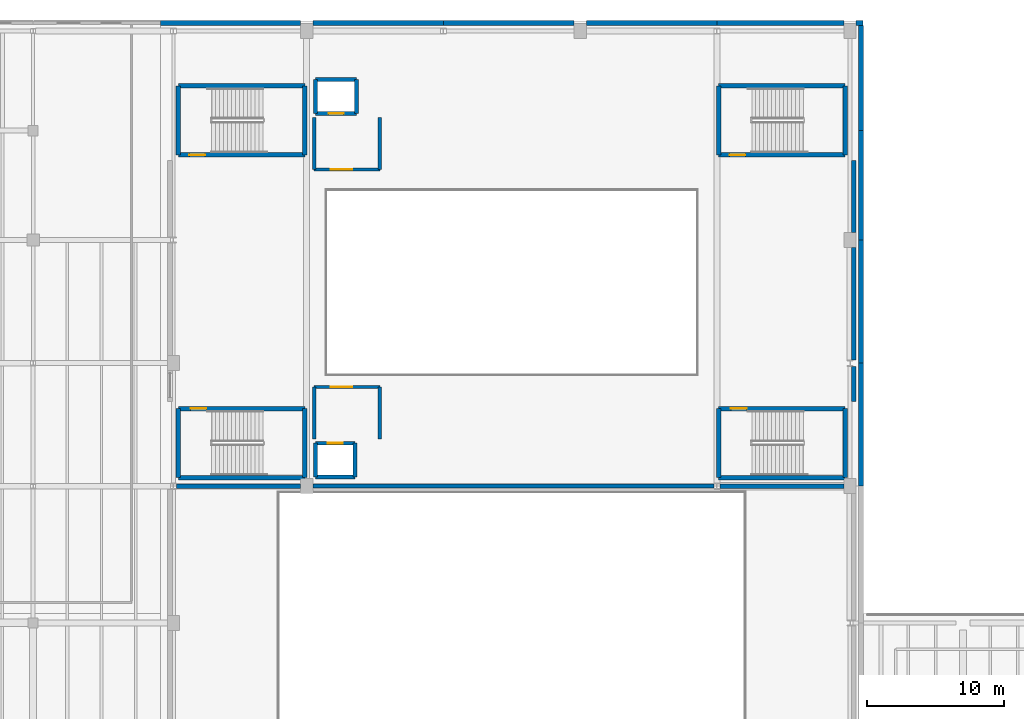
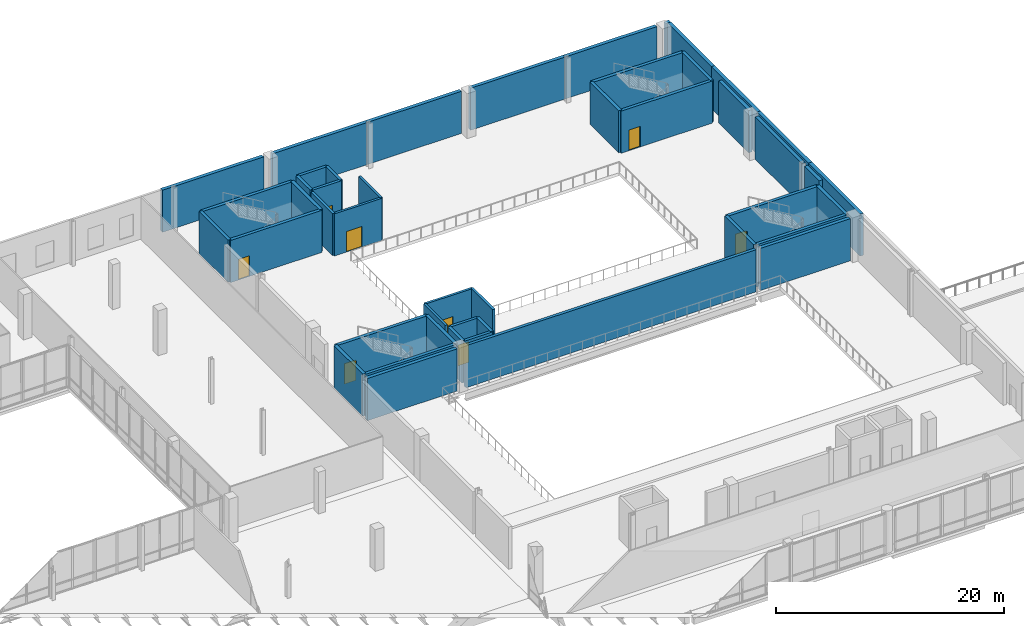
# One storey, part 31 of 41: 46 walls, 8 doors, 8 openings.
"""IFC4 building model written with IfcOpenShell, lengths in metres."""

from ifc_helpers import new_model, si_unit, direction, frame, frame_2d, origin, place, context, subcontext, project, spatial, rectangle, extrude, material, layer, layer_set, type_object, element, fill, save


model = new_model("IFC4")

# Units and contexts
model_context = context("Model", 3, precision=1e-05, world=origin(), true_north=direction((0.0, 1.0)))
body_context = subcontext(model_context, "Body", "Model", "MODEL_VIEW")
ifc_project = project(units=[si_unit("LENGTHUNIT", "METRE"), si_unit("AREAUNIT", "SQUARE_METRE"), si_unit("VOLUMEUNIT", "CUBIC_METRE"), si_unit("PLANEANGLEUNIT", "RADIAN"), si_unit("MASSUNIT", "GRAM", prefix="KILO")], contexts=[model_context])

# Site, building, storey
site_placement = place(None, origin())
site = spatial("IfcSite", under=ifc_project, at=site_placement, CompositionType="ELEMENT")
building_placement = place(site_placement, origin())
building = spatial("IfcBuilding", under=site, at=building_placement, Name="Trimount Lyric Opera House", CompositionType="ELEMENT")
storey_placement = place(building_placement, frame((0.0, 0.0, 20.0)))
storey = spatial("IfcBuildingStorey", under=building, at=storey_placement, Name="L04", CompositionType="ELEMENT", Elevation=20.0)

# Wall
ifc_material_1 = material(Name="Concrete C40/50", Category="concrete")
ifc_layer_1 = layer(ifc_material_1, 0.280029296875)
ifc_layer_set_1 = layer_set([ifc_layer_1], Name="WL-SH280")
wall_type_1 = type_object("IfcWallType", Name="WL-SH280", PredefinedType="SHEAR", material=ifc_layer_set_1)
wall_1_placement = place(storey_placement, frame((74.659912109375, 84.659912109375, 0.0), z_axis=(0.0, 0.0, 1.0), x_axis=(1.0, 0.0, 0.0)))
element("IfcWall", 1, at=wall_1_placement, inside=storey, type_object=wall_type_1, Name="Lift LF-01 L04 south shaft wall", PredefinedType="SHEAR", context=body_context, shape_type="SweptSolid", body=[
    extrude(rectangle(XDim=2.880126953125, YDim=0.280029296875, at=frame_2d((1.43994140625, 0.0))), origin(), (0.0, 0.0, 1.0), 4.5),
])

# Wall, opening, door
wall_2_placement = place(storey_placement, frame((77.5400390625, 87.139892578125, 0.0), z_axis=(0.0, 0.0, 1.0), x_axis=(-1.0, 0.0, 0.0)))
wall_2 = element("IfcWall", 2, at=wall_2_placement, inside=storey, type_object=wall_type_1, Name="Lift LF-01 L04 north shaft wall", PredefinedType="SHEAR", context=body_context, shape_type="SweptSolid", body=[
    extrude(rectangle(XDim=2.880126953125, YDim=0.280029296875, at=frame_2d((1.43994140625, 0.0))), origin(), (0.0, 0.0, 1.0), 4.5),
])
opening_1_placement = place(wall_2_placement, frame((0.889892578125, 0.0, 0.0)))
opening_1 = element("IfcOpeningElement", 3, at=opening_1_placement, cuts=wall_2, Name="Opening DT-LD1", PredefinedType="OPENING", context=body_context, shape_type="SweptSolid", body=[
    extrude(rectangle(XDim=1.10009765625, YDim=2.199951171875, at=frame_2d((0.550048828125, 1.10009765625))), frame((0.0, 0.14990234375, 0.0), z_axis=(0.0, -1.0, 0.0), x_axis=(1.0, 0.0, 0.0)), (0.0, 0.0, 1.0), 0.300048828125),
])
ifc_material_2 = material(Name="Brushed Stainless Steel", Category="steel")
door_type_1 = type_object("IfcDoorType", Name="DT-LD1", OperationType="SLIDING_TO_LEFT", PredefinedType="DOOR", material=ifc_material_2)
door_1_placement = place(opening_1_placement, origin())
door_1 = element("IfcDoor", 4, at=door_1_placement, inside=storey, type_object=door_type_1, Name="D-067", OperationType="SLIDING_TO_LEFT", OverallHeight=2.199951171875, OverallWidth=1.10009765625, PredefinedType="DOOR", context=body_context, shape_type="SweptSolid", body=[
    extrude(rectangle(XDim=1.10009765625, YDim=2.199951171875, at=frame_2d((0.550048828125, 1.10009765625))), frame((0.0, 0.02490234375, 0.0), z_axis=(0.0, -1.0, 0.0), x_axis=(1.0, 0.0, 0.0)), (0.0, 0.0, 1.0), 0.050048828125),
])
fill(opening_1, door_1)

# Walls
for number, where, z_axis, x_axis, name in (
    (5, (74.659912109375, 87.139892578125, 0.0), (0.0, 0.0, 1.0), (0.0, -1.0, 0.0), "Lift LF-01 L04 west shaft wall"),
    (6, (77.5400390625, 84.659912109375, 0.0), (0.0, 0.0, 1.0), (0.0, 1.0, 0.0), "Lift LF-01 L04 east shaft wall"),
):
    element("IfcWall", number, at=place(storey_placement, frame(where, z_axis=z_axis, x_axis=x_axis)), inside=storey, type_object=wall_type_1, Name=name, PredefinedType="SHEAR", context=body_context, shape_type="SweptSolid", body=[
        extrude(rectangle(XDim=2.47998046875, YDim=0.280029296875, at=frame_2d((1.239990234375, 0.0))), origin(), (0.0, 0.0, 1.0), 4.5),
    ])

# Wall, opening, door
wall_3_placement = place(storey_placement, frame((74.659912109375, 111.260009765625, 0.0), z_axis=(0.0, 0.0, 1.0), x_axis=(1.0, 0.0, 0.0)))
wall_3 = element("IfcWall", 7, at=wall_3_placement, inside=storey, type_object=wall_type_1, Name="Lift LF-05 L04 south shaft wall", PredefinedType="SHEAR", context=body_context, shape_type="SweptSolid", body=[
    extrude(rectangle(XDim=2.97998046875, YDim=0.280029296875, at=frame_2d((1.489990234375, 0.0))), origin(), (0.0, 0.0, 1.0), 4.5),
])
opening_2_placement = place(wall_3_placement, frame((0.93994140625, 0.0, 0.0)))
opening_2 = element("IfcOpeningElement", 8, at=opening_2_placement, cuts=wall_3, Name="Opening DT-LD1", PredefinedType="OPENING", context=body_context, shape_type="SweptSolid", body=[
    extrude(rectangle(XDim=1.10009765625, YDim=2.199951171875, at=frame_2d((0.550048828125, 1.10009765625))), frame((0.0, 0.14990234375, 0.0), z_axis=(0.0, -1.0, 0.0), x_axis=(1.0, 0.0, 0.0)), (0.0, 0.0, 1.0), 0.300048828125),
])
door_2_placement = place(opening_2_placement, origin())
door_2 = element("IfcDoor", 9, at=door_2_placement, inside=storey, type_object=door_type_1, Name="D-101", OperationType="SLIDING_TO_LEFT", OverallHeight=2.199951171875, OverallWidth=1.10009765625, PredefinedType="DOOR", context=body_context, shape_type="SweptSolid", body=[
    extrude(rectangle(XDim=1.10009765625, YDim=2.199951171875, at=frame_2d((0.550048828125, 1.10009765625))), frame((0.0, 0.02490234375, 0.0), z_axis=(0.0, -1.0, 0.0), x_axis=(1.0, 0.0, 0.0)), (0.0, 0.0, 1.0), 0.050048828125),
])
fill(opening_2, door_2)

# Walls
wall_4_placement = place(storey_placement, frame((77.639892578125, 113.739990234375, 0.0), z_axis=(0.0, 0.0, 1.0), x_axis=(-1.0, 0.0, 0.0)))
element("IfcWall", 10, at=wall_4_placement, inside=storey, type_object=wall_type_1, Name="Lift LF-05 L04 north shaft wall", PredefinedType="SHEAR", context=body_context, shape_type="SweptSolid", body=[
    extrude(rectangle(XDim=2.97998046875, YDim=0.280029296875, at=frame_2d((1.489990234375, 0.0))), origin(), (0.0, 0.0, 1.0), 4.5),
])
for number, where, z_axis, x_axis, name in (
    (11, (74.659912109375, 113.739990234375, 0.0), (0.0, 0.0, 1.0), (0.0, -1.0, 0.0), "Lift LF-05 L04 west shaft wall"),
    (12, (77.639892578125, 111.260009765625, 0.0), (0.0, 0.0, 1.0), (0.0, 1.0, 0.0), "Lift LF-05 L04 east shaft wall"),
):
    element("IfcWall", number, at=place(storey_placement, frame(where, z_axis=z_axis, x_axis=x_axis)), inside=storey, type_object=wall_type_1, Name=name, PredefinedType="SHEAR", context=body_context, shape_type="SweptSolid", body=[
        extrude(rectangle(XDim=2.47998046875, YDim=0.280029296875, at=frame_2d((1.239990234375, 0.0))), origin(), (0.0, 0.0, 1.0), 4.5),
    ])
ifc_material_3 = material(Name="Concrete C40/50", Category="concrete")
ifc_layer_2 = layer(ifc_material_3, 0.300048828125)
ifc_layer_set_2 = layer_set([ifc_layer_2], Name="WL-SH300")
wall_type_2 = type_object("IfcWallType", Name="WL-SH300", PredefinedType="SHEAR", material=ifc_layer_set_2)
wall_5_placement = place(storey_placement, frame((74.449951171875, 84.0, 0.0), z_axis=(0.0, 0.0, 1.0), x_axis=(1.0, 0.0, 0.0)))
element("IfcWall", 13, at=wall_5_placement, inside=storey, type_object=wall_type_2, Name="L04 proscenium upper fly-tower wall", PredefinedType="SHEAR", context=body_context, shape_type="SweptSolid", body=[
    extrude(rectangle(XDim=29.339111328125, YDim=0.300048828125, at=frame_2d((14.66943359375, 0.0))), origin(), (0.0, 0.0, 1.0), 4.5),
])

# Wall, opening, door
ifc_material_4 = material(Name="Concrete C40/50", Category="concrete")
ifc_layer_3 = layer(ifc_material_4, 0.320068359375)
ifc_layer_set_3 = layer_set([ifc_layer_3], Name="WL-SH320")
wall_type_3 = type_object("IfcWallType", Name="WL-SH320", PredefinedType="SHEAR", material=ifc_layer_set_3)
wall_6_placement = place(storey_placement, frame((64.625, 108.22509765625, 0.0), z_axis=(0.0, 0.0, 1.0), x_axis=(1.0, 0.0, 0.0)))
wall_6 = element("IfcWall", 14, at=wall_6_placement, inside=storey, type_object=wall_type_3, Name="K1 L04 south shaft wall", PredefinedType="SHEAR", context=body_context, shape_type="SweptSolid", body=[
    extrude(rectangle(XDim=9.25, YDim=0.320068359375, at=frame_2d((4.625, 0.0))), origin(), (0.0, 0.0, 1.0), 4.5),
])
opening_3_placement = place(wall_6_placement, frame((0.800048828125, 0.0, 0.0)))
opening_3 = element("IfcOpeningElement", 15, at=opening_3_placement, cuts=wall_6, Name="Opening DT-ST1", PredefinedType="OPENING", context=body_context, shape_type="SweptSolid", body=[
    extrude(rectangle(XDim=1.14990234375, YDim=2.199951171875, at=frame_2d((0.574951171875, 1.10009765625))), frame((0.0, 0.169921875, 0.0), z_axis=(0.0, -1.0, 0.0), x_axis=(1.0, 0.0, 0.0)), (0.0, 0.0, 1.0), 0.340087890625),
])
ifc_material_5 = material(Name="Fire-Rated Hollow Steel", Category="steel")
door_type_2 = type_object("IfcDoorType", Name="DT-ST1", OperationType="NOTDEFINED", PredefinedType="DOOR", material=ifc_material_5)
door_3_placement = place(opening_3_placement, origin())
door_3 = element("IfcDoor", 16, at=door_3_placement, inside=storey, type_object=door_type_2, Name="D-012", OperationType="SINGLE_SWING_RIGHT", OverallHeight=2.199951171875, OverallWidth=1.14990234375, PredefinedType="DOOR", context=body_context, shape_type="SweptSolid", body=[
    extrude(rectangle(XDim=1.14990234375, YDim=2.199951171875, at=frame_2d((0.574951171875, 1.10009765625))), frame((0.0, 0.02490234375, 0.0), z_axis=(0.0, -1.0, 0.0), x_axis=(1.0, 0.0, 0.0)), (0.0, 0.0, 1.0), 0.050048828125),
])
fill(opening_3, door_3)

# Walls
wall_7_placement = place(storey_placement, frame((73.875, 113.27490234375, 0.0), z_axis=(0.0, 0.0, 1.0), x_axis=(-1.0, 0.0, 0.0)))
element("IfcWall", 17, at=wall_7_placement, inside=storey, type_object=wall_type_3, Name="K1 L04 north shaft wall", PredefinedType="SHEAR", context=body_context, shape_type="SweptSolid", body=[
    extrude(rectangle(XDim=9.25, YDim=0.320068359375, at=frame_2d((4.625, 0.0))), origin(), (0.0, 0.0, 1.0), 4.5),
])
for number, where, z_axis, x_axis, name in (
    (18, (64.625, 113.27490234375, 0.0), (0.0, 0.0, 1.0), (0.0, -1.0, 0.0), "K1 L04 west shaft wall"),
    (19, (73.875, 108.22509765625, 0.0), (0.0, 0.0, 1.0), (0.0, 1.0, 0.0), "K1 L04 east shaft wall"),
):
    element("IfcWall", number, at=place(storey_placement, frame(where, z_axis=z_axis, x_axis=x_axis)), inside=storey, type_object=wall_type_3, Name=name, PredefinedType="SHEAR", context=body_context, shape_type="SweptSolid", body=[
        extrude(rectangle(XDim=5.0498046875, YDim=0.320068359375, at=frame_2d((2.52490234375, 0.0))), origin(), (0.0, 0.0, 1.0), 4.5),
    ])

# Wall, opening, door
wall_8_placement = place(storey_placement, frame((104.125, 108.22509765625, 0.0), z_axis=(0.0, 0.0, 1.0), x_axis=(1.0, 0.0, 0.0)))
wall_8 = element("IfcWall", 20, at=wall_8_placement, inside=storey, type_object=wall_type_3, Name="K2 L04 south shaft wall", PredefinedType="SHEAR", context=body_context, shape_type="SweptSolid", body=[
    extrude(rectangle(XDim=9.25, YDim=0.320068359375, at=frame_2d((4.625, 0.0))), origin(), (0.0, 0.0, 1.0), 4.5),
])
opening_4_placement = place(wall_8_placement, frame((0.800048828125, 0.0, 0.0)))
opening_4 = element("IfcOpeningElement", 21, at=opening_4_placement, cuts=wall_8, Name="Opening DT-ST1", PredefinedType="OPENING", context=body_context, shape_type="SweptSolid", body=[
    extrude(rectangle(XDim=1.14990234375, YDim=2.199951171875, at=frame_2d((0.574951171875, 1.10009765625))), frame((0.0, 0.169921875, 0.0), z_axis=(0.0, -1.0, 0.0), x_axis=(1.0, 0.0, 0.0)), (0.0, 0.0, 1.0), 0.340087890625),
])
door_4_placement = place(opening_4_placement, origin())
door_4 = element("IfcDoor", 22, at=door_4_placement, inside=storey, type_object=door_type_2, Name="D-020", OperationType="SINGLE_SWING_RIGHT", OverallHeight=2.199951171875, OverallWidth=1.14990234375, PredefinedType="DOOR", context=body_context, shape_type="SweptSolid", body=[
    extrude(rectangle(XDim=1.14990234375, YDim=2.199951171875, at=frame_2d((0.574951171875, 1.10009765625))), frame((0.0, 0.02490234375, 0.0), z_axis=(0.0, -1.0, 0.0), x_axis=(1.0, 0.0, 0.0)), (0.0, 0.0, 1.0), 0.050048828125),
])
fill(opening_4, door_4)

# Walls
wall_9_placement = place(storey_placement, frame((113.375, 113.27490234375, 0.0), z_axis=(0.0, 0.0, 1.0), x_axis=(-1.0, 0.0, 0.0)))
element("IfcWall", 23, at=wall_9_placement, inside=storey, type_object=wall_type_3, Name="K2 L04 north shaft wall", PredefinedType="SHEAR", context=body_context, shape_type="SweptSolid", body=[
    extrude(rectangle(XDim=9.25, YDim=0.320068359375, at=frame_2d((4.625, 0.0))), origin(), (0.0, 0.0, 1.0), 4.5),
])
for number, where, z_axis, x_axis, name in (
    (24, (104.125, 113.27490234375, 0.0), (0.0, 0.0, 1.0), (0.0, -1.0, 0.0), "K2 L04 west shaft wall"),
    (25, (113.375, 108.22509765625, 0.0), (0.0, 0.0, 1.0), (0.0, 1.0, 0.0), "K2 L04 east shaft wall"),
):
    element("IfcWall", number, at=place(storey_placement, frame(where, z_axis=z_axis, x_axis=x_axis)), inside=storey, type_object=wall_type_3, Name=name, PredefinedType="SHEAR", context=body_context, shape_type="SweptSolid", body=[
        extrude(rectangle(XDim=5.0498046875, YDim=0.320068359375, at=frame_2d((2.52490234375, 0.0))), origin(), (0.0, 0.0, 1.0), 4.5),
    ])
wall_10_placement = place(storey_placement, frame((64.625, 84.625, 0.0), z_axis=(0.0, 0.0, 1.0), x_axis=(1.0, 0.0, 0.0)))
element("IfcWall", 26, at=wall_10_placement, inside=storey, type_object=wall_type_3, Name="K3 L04 south shaft wall", PredefinedType="SHEAR", context=body_context, shape_type="SweptSolid", body=[
    extrude(rectangle(XDim=9.25, YDim=0.320068359375, at=frame_2d((4.625, 0.0))), origin(), (0.0, 0.0, 1.0), 4.5),
])

# Wall, opening, door
wall_11_placement = place(storey_placement, frame((73.875, 89.675048828125, 0.0), z_axis=(0.0, 0.0, 1.0), x_axis=(-1.0, 0.0, 0.0)))
wall_11 = element("IfcWall", 27, at=wall_11_placement, inside=storey, type_object=wall_type_3, Name="K3 L04 north shaft wall", PredefinedType="SHEAR", context=body_context, shape_type="SweptSolid", body=[
    extrude(rectangle(XDim=9.25, YDim=0.320068359375, at=frame_2d((4.625, 0.0))), origin(), (0.0, 0.0, 1.0), 4.5),
])
opening_5_placement = place(wall_11_placement, frame((7.199951171875, 0.0, 0.0)))
opening_5 = element("IfcOpeningElement", 28, at=opening_5_placement, cuts=wall_11, Name="Opening DT-ST1", PredefinedType="OPENING", context=body_context, shape_type="SweptSolid", body=[
    extrude(rectangle(XDim=1.14990234375, YDim=2.199951171875, at=frame_2d((0.574951171875, 1.10009765625))), frame((0.0, 0.169921875, 0.0), z_axis=(0.0, -1.0, 0.0), x_axis=(1.0, 0.0, 0.0)), (0.0, 0.0, 1.0), 0.340087890625),
])
door_5_placement = place(opening_5_placement, origin())
door_5 = element("IfcDoor", 29, at=door_5_placement, inside=storey, type_object=door_type_2, Name="D-028", OperationType="SINGLE_SWING_RIGHT", OverallHeight=2.199951171875, OverallWidth=1.14990234375, PredefinedType="DOOR", context=body_context, shape_type="SweptSolid", body=[
    extrude(rectangle(XDim=1.14990234375, YDim=2.199951171875, at=frame_2d((0.574951171875, 1.10009765625))), frame((0.0, 0.02490234375, 0.0), z_axis=(0.0, -1.0, 0.0), x_axis=(1.0, 0.0, 0.0)), (0.0, 0.0, 1.0), 0.050048828125),
])
fill(opening_5, door_5)

# Walls
for number, where, z_axis, x_axis, name in (
    (30, (64.625, 89.675048828125, 0.0), (0.0, 0.0, 1.0), (0.0, -1.0, 0.0), "K3 L04 west shaft wall"),
    (31, (73.875, 84.625, 0.0), (0.0, 0.0, 1.0), (0.0, 1.0, 0.0), "K3 L04 east shaft wall"),
):
    element("IfcWall", number, at=place(storey_placement, frame(where, z_axis=z_axis, x_axis=x_axis)), inside=storey, type_object=wall_type_3, Name=name, PredefinedType="SHEAR", context=body_context, shape_type="SweptSolid", body=[
        extrude(rectangle(XDim=5.050048828125, YDim=0.320068359375, at=frame_2d((2.52490234375, 0.0))), origin(), (0.0, 0.0, 1.0), 4.5),
    ])
wall_12_placement = place(storey_placement, frame((104.125, 84.625, 0.0), z_axis=(0.0, 0.0, 1.0), x_axis=(1.0, 0.0, 0.0)))
element("IfcWall", 32, at=wall_12_placement, inside=storey, type_object=wall_type_3, Name="K4 L04 south shaft wall", PredefinedType="SHEAR", context=body_context, shape_type="SweptSolid", body=[
    extrude(rectangle(XDim=9.25, YDim=0.320068359375, at=frame_2d((4.625, 0.0))), origin(), (0.0, 0.0, 1.0), 4.5),
])

# Wall, opening, door
wall_13_placement = place(storey_placement, frame((113.375, 89.675048828125, 0.0), z_axis=(0.0, 0.0, 1.0), x_axis=(-1.0, 0.0, 0.0)))
wall_13 = element("IfcWall", 33, at=wall_13_placement, inside=storey, type_object=wall_type_3, Name="K4 L04 north shaft wall", PredefinedType="SHEAR", context=body_context, shape_type="SweptSolid", body=[
    extrude(rectangle(XDim=9.25, YDim=0.320068359375, at=frame_2d((4.625, 0.0))), origin(), (0.0, 0.0, 1.0), 4.5),
])
opening_6_placement = place(wall_13_placement, frame((7.199951171875, 0.0, 0.0)))
opening_6 = element("IfcOpeningElement", 34, at=opening_6_placement, cuts=wall_13, Name="Opening DT-ST1", PredefinedType="OPENING", context=body_context, shape_type="SweptSolid", body=[
    extrude(rectangle(XDim=1.14990234375, YDim=2.199951171875, at=frame_2d((0.574951171875, 1.10009765625))), frame((0.0, 0.169921875, 0.0), z_axis=(0.0, -1.0, 0.0), x_axis=(1.0, 0.0, 0.0)), (0.0, 0.0, 1.0), 0.340087890625),
])
door_6_placement = place(opening_6_placement, origin())
door_6 = element("IfcDoor", 35, at=door_6_placement, inside=storey, type_object=door_type_2, Name="D-036", OperationType="SINGLE_SWING_RIGHT", OverallHeight=2.199951171875, OverallWidth=1.14990234375, PredefinedType="DOOR", context=body_context, shape_type="SweptSolid", body=[
    extrude(rectangle(XDim=1.14990234375, YDim=2.199951171875, at=frame_2d((0.574951171875, 1.10009765625))), frame((0.0, 0.02490234375, 0.0), z_axis=(0.0, -1.0, 0.0), x_axis=(1.0, 0.0, 0.0)), (0.0, 0.0, 1.0), 0.050048828125),
])
fill(opening_6, door_6)

# Walls
for number, where, z_axis, x_axis, name in (
    (36, (104.125, 89.675048828125, 0.0), (0.0, 0.0, 1.0), (0.0, -1.0, 0.0), "K4 L04 west shaft wall"),
    (37, (113.375, 84.625, 0.0), (0.0, 0.0, 1.0), (0.0, 1.0, 0.0), "K4 L04 east shaft wall"),
):
    element("IfcWall", number, at=place(storey_placement, frame(where, z_axis=z_axis, x_axis=x_axis)), inside=storey, type_object=wall_type_3, Name=name, PredefinedType="SHEAR", context=body_context, shape_type="SweptSolid", body=[
        extrude(rectangle(XDim=5.050048828125, YDim=0.320068359375, at=frame_2d((2.52490234375, 0.0))), origin(), (0.0, 0.0, 1.0), 4.5),
    ])
ifc_material_6 = material(Name="Concrete C40/50", Category="concrete")
ifc_layer_4 = layer(ifc_material_6, 0.35009765625)
ifc_layer_set_4 = layer_set([ifc_layer_4], Name="WL-SH350")
wall_type_4 = type_object("IfcWallType", Name="WL-SH350", PredefinedType="SHEAR", material=ifc_layer_set_4)
wall_14_placement = place(storey_placement, frame((114.0, 90.199951171875, 0.0), z_axis=(0.0, 0.0, 1.0), x_axis=(0.0, 1.0, 0.0)))
element("IfcWall", 38, at=wall_14_placement, inside=storey, type_object=wall_type_4, Name="L04 fly-tower east shear wall", PredefinedType="SHEAR", context=body_context, shape_type="SweptSolid", body=[
    extrude(rectangle(XDim=2.567626953125, YDim=0.35009765625, at=frame_2d((1.28369140625, 0.0))), origin(), (0.0, 0.0, 1.0), 4.5),
])
wall_15_placement = place(storey_placement, frame((114.0, 93.232421875, 0.0), z_axis=(0.0, 0.0, 1.0), x_axis=(0.0, 1.0, 0.0)))
element("IfcWall", 39, at=wall_15_placement, inside=storey, type_object=wall_type_4, Name="L04 fly-tower east shear wall", PredefinedType="SHEAR", context=body_context, shape_type="SweptSolid", body=[
    extrude(rectangle(XDim=8.217529296875, YDim=0.35009765625, at=frame_2d((4.10888671875, 0.0))), origin(), (0.0, 0.0, 1.0), 4.5),
])
wall_16_placement = place(storey_placement, frame((114.0, 102.550048828125, 0.0), z_axis=(0.0, 0.0, 1.0), x_axis=(0.0, 1.0, 0.0)))
element("IfcWall", 40, at=wall_16_placement, inside=storey, type_object=wall_type_4, Name="L04 fly-tower east shear wall", PredefinedType="SHEAR", context=body_context, shape_type="SweptSolid", body=[
    extrude(rectangle(XDim=5.25, YDim=0.35009765625, at=frame_2d((2.625, 0.0))), origin(), (0.0, 0.0, 1.0), 4.5),
])
for number, where, z_axis, x_axis, name in (
    (41, (64.470947265625, 84.0, 0.0), (0.0, 0.0, 1.0), (1.0, 0.0, 0.0), "L04 proscenium west wing wall"),
    (42, (104.2109375, 84.0, 0.0), (0.0, 0.0, 1.0), (1.0, 0.0, 0.0), "L04 proscenium east wing wall"),
):
    element("IfcWall", number, at=place(storey_placement, frame(where, z_axis=z_axis, x_axis=x_axis)), inside=storey, type_object=wall_type_4, Name=name, PredefinedType="SHEAR", context=body_context, shape_type="SweptSolid", body=[
        extrude(rectangle(XDim=9.0791015625, YDim=0.35009765625, at=frame_2d((4.53955078125, 0.0))), origin(), (0.0, 0.0, 1.0), 4.5),
    ])
wall_17_placement = place(storey_placement, frame((63.320068359375, 117.860107421875, 0.0), z_axis=(0.0, 0.0, 1.0), x_axis=(1.0, 0.0, 0.0)))
element("IfcWall", 43, at=wall_17_placement, inside=storey, type_object=wall_type_4, Name="L04 exterior facade wall 301", PredefinedType="SHEAR", context=body_context, shape_type="SweptSolid", body=[
    extrude(rectangle(XDim=10.22998046875, YDim=0.35009765625, at=frame_2d((5.114990234375, 0.0))), origin(), (0.0, 0.0, 1.0), 4.5),
])
for number, where, z_axis, x_axis, name in (
    (44, (74.449951171875, 117.860107421875, 0.0), (0.0, 0.0, 1.0), (1.0, 0.0, 0.0), "L04 exterior facade wall 302"),
    (45, (84.0, 117.860107421875, 0.0), (0.0, 0.0, 1.0), (1.0, 0.0, 0.0), "L04 exterior facade wall 303"),
    (46, (94.449951171875, 117.860107421875, 0.0), (0.0, 0.0, 1.0), (1.0, 0.0, 0.0), "L04 exterior facade wall 304"),
):
    element("IfcWall", number, at=place(storey_placement, frame(where, z_axis=z_axis, x_axis=x_axis)), inside=storey, type_object=wall_type_4, Name=name, PredefinedType="SHEAR", context=body_context, shape_type="SweptSolid", body=[
        extrude(rectangle(XDim=9.550048828125, YDim=0.35009765625, at=frame_2d((4.77490234375, 0.0))), origin(), (0.0, 0.0, 1.0), 4.5),
    ])
wall_18_placement = place(storey_placement, frame((104.0, 117.860107421875, 0.0), z_axis=(0.0, 0.0, 1.0), x_axis=(1.0, 0.0, 0.0)))
element("IfcWall", 47, at=wall_18_placement, inside=storey, type_object=wall_type_4, Name="L04 exterior facade wall 305", PredefinedType="SHEAR", context=body_context, shape_type="SweptSolid", body=[
    extrude(rectangle(XDim=9.2900390625, YDim=0.35009765625, at=frame_2d((4.64501953125, 0.0))), origin(), (0.0, 0.0, 1.0), 4.5),
])
wall_19_placement = place(storey_placement, frame((114.18994140625, 117.860107421875, 0.0), z_axis=(0.0, 0.0, 1.0), x_axis=(1.0, 0.0, 0.0)))
element("IfcWall", 48, at=wall_19_placement, inside=storey, type_object=wall_type_4, Name="L04 exterior facade wall 305", PredefinedType="SHEAR", context=body_context, shape_type="SweptSolid", body=[
    extrude(rectangle(XDim=0.489990234375, YDim=0.35009765625, at=frame_2d((0.2451171875, 0.0))), origin(), (0.0, 0.0, 1.0), 4.5),
])
wall_20_placement = place(storey_placement, frame((114.5400390625, 117.679931640625, 0.0), z_axis=(0.0, 0.0, 1.0), x_axis=(0.0, -1.0, 0.0)))
element("IfcWall", 49, at=wall_20_placement, inside=storey, type_object=wall_type_4, Name="L04 exterior facade wall 306", PredefinedType="SHEAR", context=body_context, shape_type="SweptSolid", body=[
    extrude(rectangle(XDim=7.679931640625, YDim=0.35009765625, at=frame_2d((3.83984375, 0.0))), origin(), (0.0, 0.0, 1.0), 4.5),
])
wall_21_placement = place(storey_placement, frame((114.5400390625, 110.0, 0.0), z_axis=(0.0, 0.0, 1.0), x_axis=(0.0, -1.0, 0.0)))
element("IfcWall", 50, at=wall_21_placement, inside=storey, type_object=wall_type_4, Name="L04 exterior facade wall 307", PredefinedType="SHEAR", context=body_context, shape_type="SweptSolid", body=[
    extrude(rectangle(XDim=8.0, YDim=0.35009765625, at=frame_2d((4.0, 0.0))), origin(), (0.0, 0.0, 1.0), 4.5),
])
for number, where, z_axis, x_axis, name in (
    (51, (114.5400390625, 102.0, 0.0), (0.0, 0.0, 1.0), (0.0, -1.0, 0.0), "L04 exterior facade wall 308"),
    (52, (114.5400390625, 93.0, 0.0), (0.0, 0.0, 1.0), (0.0, -1.0, 0.0), "L04 exterior facade wall 309"),
):
    element("IfcWall", number, at=place(storey_placement, frame(where, z_axis=z_axis, x_axis=x_axis)), inside=storey, type_object=wall_type_4, Name=name, PredefinedType="SHEAR", context=body_context, shape_type="SweptSolid", body=[
        extrude(rectangle(XDim=9.0, YDim=0.35009765625, at=frame_2d((4.5, 0.0))), origin(), (0.0, 0.0, 1.0), 4.5),
    ])

# Wall, opening, door
ifc_material_7 = material(Name="Concrete C35/45", Category="concrete")
ifc_layer_5 = layer(ifc_material_7, 0.239990234375)
ifc_layer_set_5 = layer_set([ifc_layer_5], Name="WL-SW240")
wall_type_5 = type_object("IfcWallType", Name="WL-SW240", PredefinedType="SOLIDWALL", material=ifc_layer_set_5)
wall_22_placement = place(storey_placement, frame((74.550048828125, 91.25, 0.0), z_axis=(0.0, 0.0, 1.0), x_axis=(1.0, 0.0, 0.0)))
wall_22 = element("IfcWall", 53, at=wall_22_placement, inside=storey, type_object=wall_type_5, Name="L04 firefighting lobby LF-01 entry wall", PredefinedType="SOLIDWALL", context=body_context, shape_type="SweptSolid", body=[
    extrude(rectangle(XDim=4.800048828125, YDim=0.239990234375, at=frame_2d((2.39990234375, 0.0))), origin(), (0.0, 0.0, 1.0), 4.5),
])
opening_7_placement = place(wall_22_placement, frame((1.199951171875, 0.0, 0.0)))
opening_7 = element("IfcOpeningElement", 54, at=opening_7_placement, cuts=wall_22, Name="Opening DT-FF1", PredefinedType="OPENING", context=body_context, shape_type="SweptSolid", body=[
    extrude(rectangle(XDim=1.60009765625, YDim=2.199951171875, at=frame_2d((0.800048828125, 1.10009765625))), frame((0.0, 0.1298828125, 0.0), z_axis=(0.0, -1.0, 0.0), x_axis=(1.0, 0.0, 0.0)), (0.0, 0.0, 1.0), 0.260009765625),
])
ifc_material_8 = material(Name="Fire-Rated Hollow Steel", Category="steel")
door_type_3 = type_object("IfcDoorType", Name="DT-FF1", OperationType="DOUBLE_DOOR_SINGLE_SWING", PredefinedType="DOOR", material=ifc_material_8)
door_7_placement = place(opening_7_placement, origin())
door_7 = element("IfcDoor", 55, at=door_7_placement, inside=storey, type_object=door_type_3, Name="D-068", OperationType="DOUBLE_DOOR_SINGLE_SWING", OverallHeight=2.199951171875, OverallWidth=1.60009765625, PredefinedType="DOOR", context=body_context, shape_type="SweptSolid", body=[
    extrude(rectangle(XDim=1.60009765625, YDim=2.199951171875, at=frame_2d((0.800048828125, 1.10009765625))), frame((0.0, 0.02490234375, 0.0), z_axis=(0.0, -1.0, 0.0), x_axis=(1.0, 0.0, 0.0)), (0.0, 0.0, 1.0), 0.050048828125),
])
fill(opening_7, door_7)

# Walls
for number, where, z_axis, x_axis, name in (
    (56, (74.550048828125, 91.25, 0.0), (0.0, 0.0, 1.0), (0.0, -1.0, 0.0), "L04 firefighting lobby LF-01 west wall"),
    (57, (79.35009765625, 87.449951171875, 0.0), (0.0, 0.0, 1.0), (0.0, 1.0, 0.0), "L04 firefighting lobby LF-01 east wall"),
):
    element("IfcWall", number, at=place(storey_placement, frame(where, z_axis=z_axis, x_axis=x_axis)), inside=storey, type_object=wall_type_5, Name=name, PredefinedType="SOLIDWALL", context=body_context, shape_type="SweptSolid", body=[
        extrude(rectangle(XDim=3.800048828125, YDim=0.239990234375, at=frame_2d((1.89990234375, 0.0))), origin(), (0.0, 0.0, 1.0), 4.5),
    ])

# Wall, opening, door
wall_23_placement = place(storey_placement, frame((74.550048828125, 107.14990234375, 0.0), z_axis=(0.0, 0.0, 1.0), x_axis=(1.0, 0.0, 0.0)))
wall_23 = element("IfcWall", 58, at=wall_23_placement, inside=storey, type_object=wall_type_5, Name="L04 firefighting lobby LF-05 entry wall", PredefinedType="SOLIDWALL", context=body_context, shape_type="SweptSolid", body=[
    extrude(rectangle(XDim=4.800048828125, YDim=0.239990234375, at=frame_2d((2.39990234375, 0.0))), origin(), (0.0, 0.0, 1.0), 4.5),
])
opening_8_placement = place(wall_23_placement, frame((1.199951171875, 0.0, 0.0)))
opening_8 = element("IfcOpeningElement", 59, at=opening_8_placement, cuts=wall_23, Name="Opening DT-FF1", PredefinedType="OPENING", context=body_context, shape_type="SweptSolid", body=[
    extrude(rectangle(XDim=1.60009765625, YDim=2.199951171875, at=frame_2d((0.800048828125, 1.10009765625))), frame((0.0, 0.1298828125, 0.0), z_axis=(0.0, -1.0, 0.0), x_axis=(1.0, 0.0, 0.0)), (0.0, 0.0, 1.0), 0.260009765625),
])
door_8_placement = place(opening_8_placement, origin())
door_8 = element("IfcDoor", 60, at=door_8_placement, inside=storey, type_object=door_type_3, Name="D-102", OperationType="DOUBLE_DOOR_SINGLE_SWING", OverallHeight=2.199951171875, OverallWidth=1.60009765625, PredefinedType="DOOR", context=body_context, shape_type="SweptSolid", body=[
    extrude(rectangle(XDim=1.60009765625, YDim=2.199951171875, at=frame_2d((0.800048828125, 1.10009765625))), frame((0.0, 0.02490234375, 0.0), z_axis=(0.0, -1.0, 0.0), x_axis=(1.0, 0.0, 0.0)), (0.0, 0.0, 1.0), 0.050048828125),
])
fill(opening_8, door_8)

# Walls
for number, where, z_axis, x_axis, name in (
    (61, (74.550048828125, 110.949951171875, 0.0), (0.0, 0.0, 1.0), (0.0, -1.0, 0.0), "L04 firefighting lobby LF-05 west wall"),
    (62, (79.35009765625, 107.14990234375, 0.0), (0.0, 0.0, 1.0), (0.0, 1.0, 0.0), "L04 firefighting lobby LF-05 east wall"),
):
    element("IfcWall", number, at=place(storey_placement, frame(where, z_axis=z_axis, x_axis=x_axis)), inside=storey, type_object=wall_type_5, Name=name, PredefinedType="SOLIDWALL", context=body_context, shape_type="SweptSolid", body=[
        extrude(rectangle(XDim=3.800048828125, YDim=0.239990234375, at=frame_2d((1.89990234375, 0.0))), origin(), (0.0, 0.0, 1.0), 4.5),
    ])

save(model, "model.ifc")
